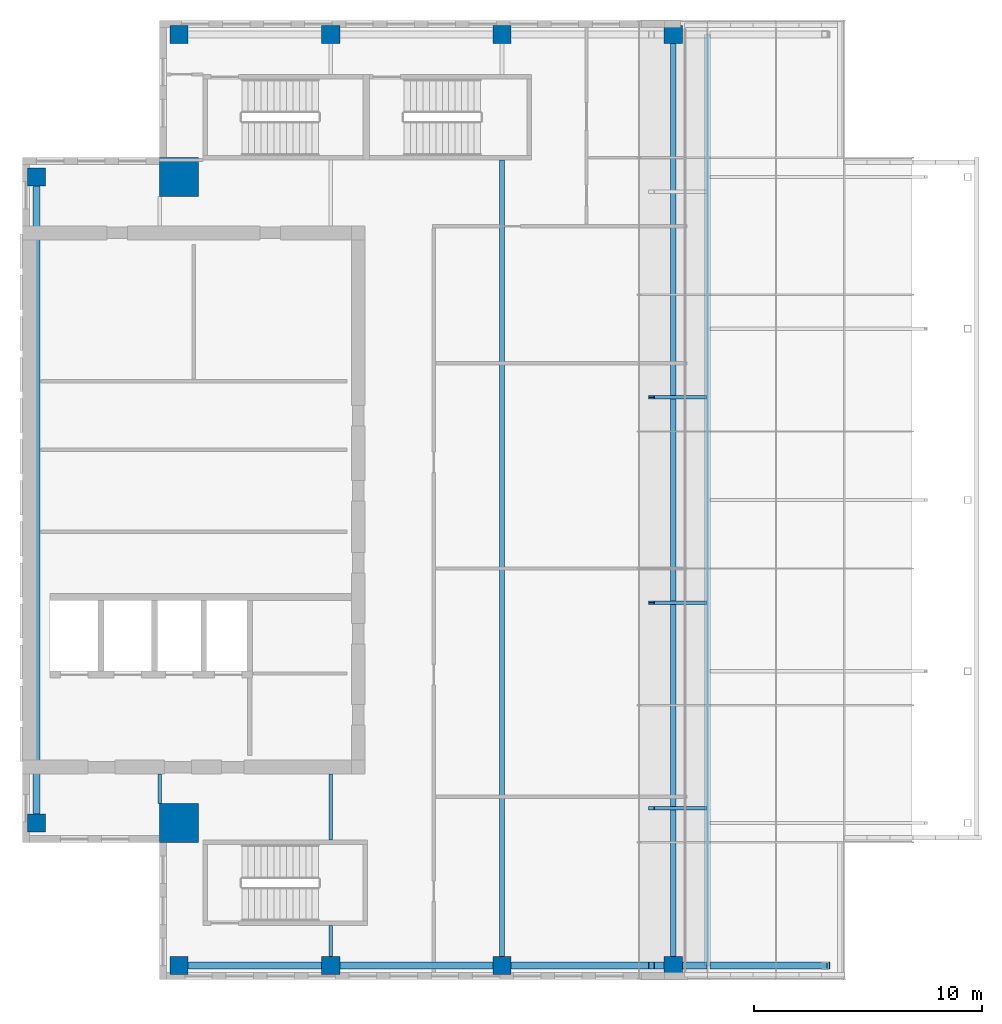
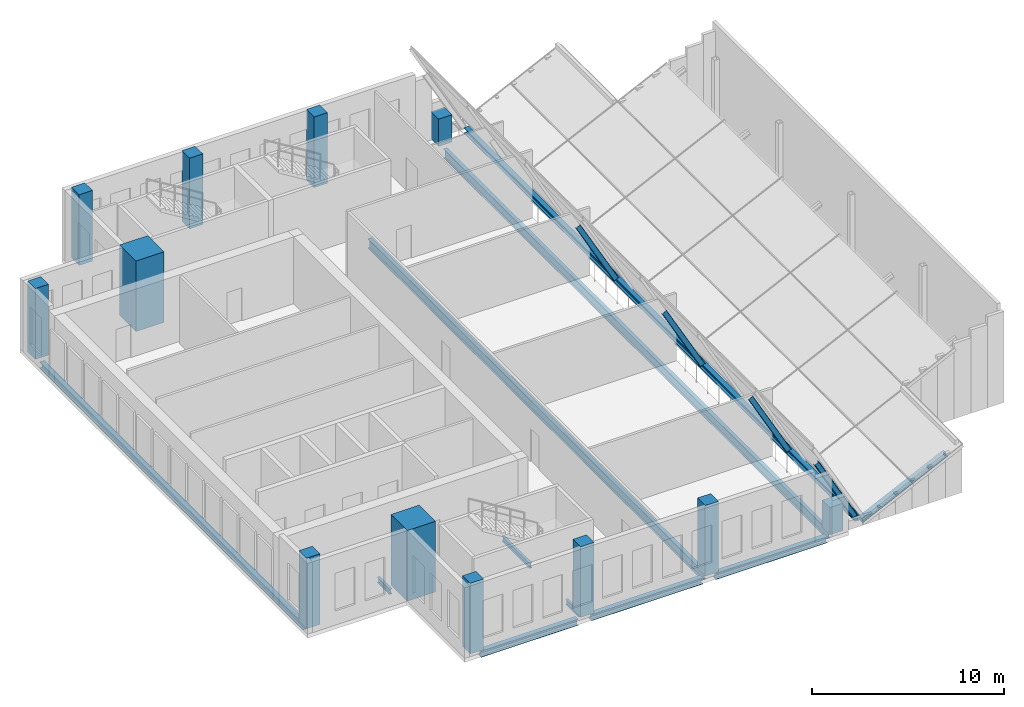
# One storey, part 1 of 11: 12 columns, 10 beams, 5 members.
"""IFC4 building model written with IfcOpenShell, lengths in metres."""

import ifcopenshell
import ifcopenshell.guid

model = None  # the IFC model being written
_history = None  # IfcOwnerHistory: only IFC2X3 demands one
_inside = {}  # id of a spatial element -> (the spatial element, [elements in it])
_under = {}  # id of a project, library or spatial element -> (it, [spatial elements below it])
_declared = {}  # id of a project -> (the project, [libraries it declares])
_typed = {}  # id of a type object -> (the type object, [elements of that type])
_made_of = {}  # id of a material, layer set ... -> (it, [elements and type objects made of it])


def new_model(schema):
    """Start an empty IFC model of exactly this schema.

    Asked for "IFC4X3", IfcOpenShell would pick the latest addendum, in which some entities
    have other attributes; the version numbers below select the first issue.
    IFC2X3 requires an IfcOwnerHistory on every rooted entity: one is made here for all.
    """
    global model, _history
    if schema == "IFC4X3":
        model = ifcopenshell.file(schema_version=(4, 3, 0, 0))
    else:
        model = ifcopenshell.file(schema=schema)
    _inside.clear()
    _under.clear()
    _declared.clear()
    _typed.clear()
    _made_of.clear()
    _history = None
    if model.schema == "IFC2X3":
        org = make("IfcOrganization", Name="unknown")
        user = make(
            "IfcPersonAndOrganization",
            ThePerson=make("IfcPerson", FamilyName="unknown"),
            TheOrganization=org,
        )
        app = make(
            "IfcApplication",
            ApplicationDeveloper=org,
            Version="unknown",
            ApplicationFullName="unknown",
            ApplicationIdentifier="unknown",
        )
        _history = make(
            "IfcOwnerHistory",
            OwningUser=user,
            OwningApplication=app,
            ChangeAction="ADDED",
            CreationDate=0,
        )
    return model


def make(cls, **values):
    """One entity of the class cls with the attributes given. An attribute that is None is left unset."""
    return model.create_entity(
        cls, **{name: value for name, value in values.items() if value is not None}
    )


def rooted(cls, **values):
    """An entity with a GlobalId (a new one), such as an element, a storey or a relation."""
    return make(cls, GlobalId=ifcopenshell.guid.new(), OwnerHistory=_history, **values)


def si_unit(unit_type, name, prefix=None):
    """IfcSIUnit, for example si_unit("LENGTHUNIT", "METRE", prefix="MILLI")."""
    return make("IfcSIUnit", UnitType=unit_type, Prefix=prefix, Name=name)


def assignment(units):
    """IfcUnitAssignment: the units of a project."""
    return None if units is None else make("IfcUnitAssignment", Units=units)


def point(xyz):
    """IfcCartesianPoint."""
    return None if xyz is None else make("IfcCartesianPoint", Coordinates=xyz)


def direction(xyz):
    """IfcDirection."""
    return None if xyz is None else make("IfcDirection", DirectionRatios=xyz)


def frame(location, z_axis=None, x_axis=None):
    """IfcAxis2Placement3D, a coordinate frame: its origin and axes. An axis left out is left unset."""
    return make(
        "IfcAxis2Placement3D",
        Location=point(location),
        Axis=direction(z_axis),
        RefDirection=direction(x_axis),
    )


def frame_2d(location, x_axis=None):
    """IfcAxis2Placement2D, a coordinate frame in the plane: its origin and x axis."""
    return make(
        "IfcAxis2Placement2D", Location=point(location), RefDirection=direction(x_axis)
    )


def origin():
    """The frame at (0, 0, 0) with its axes left unset."""
    return frame((0.0, 0.0, 0.0))


def origin_2d():
    """The frame at (0, 0) in the plane with its x axis left unset."""
    return frame_2d((0.0, 0.0))


def place(relative_to, where):
    """IfcLocalPlacement: puts the frame where relative to a parent placement (None: the world)."""
    return make(
        "IfcLocalPlacement", PlacementRelTo=relative_to, RelativePlacement=where
    )


def context(
    kind, dimensions, precision=None, world=None, true_north=None, identifier=None
):
    """IfcGeometricRepresentationContext, for example the 3D "Model" context."""
    return make(
        "IfcGeometricRepresentationContext",
        ContextIdentifier=identifier,
        ContextType=kind,
        CoordinateSpaceDimension=dimensions,
        Precision=precision,
        WorldCoordinateSystem=world,
        TrueNorth=true_north,
    )


def subcontext(parent, identifier, kind, view, scale=None):
    """IfcGeometricRepresentationSubContext, for example "Body" below "Model"."""
    return make(
        "IfcGeometricRepresentationSubContext",
        ContextIdentifier=identifier,
        ContextType=kind,
        ParentContext=parent,
        TargetScale=scale,
        TargetView=view,
    )


def project(units=None, contexts=None):
    """IfcProject with its units and contexts."""
    return rooted(
        "IfcProject",
        Name="project",
        RepresentationContexts=contexts,
        UnitsInContext=assignment(units),
    )


def spatial(cls, under=None, at=None, **own):
    """A site, building, storey or space (cls), placed at a placement, below another one or the project."""
    s = rooted(cls, ObjectPlacement=at, **own)
    if under is not None:
        _under.setdefault(under.id(), (under, []))[1].append(s)
    return s


def profile(cls, at=None, kind="AREA", **sizes):
    """A parametric profile (cls). Its sizes go by their IFC names, for example OverallWidth=200.0."""
    return make(cls, ProfileType=kind, Position=at, **sizes)


def rectangle(**sizes):
    """IfcRectangleProfileDef."""
    return profile("IfcRectangleProfileDef", **sizes)


def i_section(**sizes):
    """IfcIShapeProfileDef."""
    return profile("IfcIShapeProfileDef", **sizes)


def extrude(swept, where, along, depth):
    """IfcExtrudedAreaSolid: the profile swept, set in the frame where, extruded along a direction by depth."""
    return make(
        "IfcExtrudedAreaSolid",
        SweptArea=swept,
        Position=where,
        ExtrudedDirection=direction(along),
        Depth=depth,
    )


def shape(context_of_items, identifier, shape_type, items):
    """IfcShapeRepresentation: the items that make up one representation, for example the "Body"."""
    return make(
        "IfcShapeRepresentation",
        ContextOfItems=context_of_items,
        RepresentationIdentifier=identifier,
        RepresentationType=shape_type,
        Items=items,
    )


def source(mapping_origin, context_of_items, identifier, shape_type, items):
    """IfcRepresentationMap: a shape defined once, which mapped items show again and again."""
    return make(
        "IfcRepresentationMap",
        MappingOrigin=mapping_origin,
        MappedRepresentation=shape(context_of_items, identifier, shape_type, items),
    )


def transform(
    local_origin,
    x_axis=None,
    y_axis=None,
    z_axis=None,
    scale=None,
    scale2=None,
    scale3=None,
    uniform=True,
):
    """IfcCartesianTransformationOperator3D, or its non-uniform kind. x_axis, y_axis, z_axis: its Axis1, 2, 3."""
    if uniform:
        return make(
            "IfcCartesianTransformationOperator3D",
            Axis1=direction(x_axis),
            Axis2=direction(y_axis),
            LocalOrigin=point(local_origin),
            Scale=scale,
            Axis3=direction(z_axis),
        )
    return make(
        "IfcCartesianTransformationOperator3DnonUniform",
        Axis1=direction(x_axis),
        Axis2=direction(y_axis),
        LocalOrigin=point(local_origin),
        Scale=scale,
        Axis3=direction(z_axis),
        Scale2=scale2,
        Scale3=scale3,
    )


def mapped(mapping_source, mapping_target):
    """IfcMappedItem: shows the shape of a source again, moved by a transform."""
    return make(
        "IfcMappedItem", MappingSource=mapping_source, MappingTarget=mapping_target
    )


def material(Name=None, Category=None):
    """IfcMaterial."""
    return make("IfcMaterial", Name=Name, Category=Category)


def material_profile(
    of_material, cross_section, Name=None, Category=None, Priority=None
):
    """IfcMaterialProfile: a cross section and its material."""
    return make(
        "IfcMaterialProfile",
        Name=Name,
        Material=of_material,
        Profile=cross_section,
        Priority=Priority,
        Category=Category,
    )


def profile_set(profiles, Name=None, composite=None):
    """IfcMaterialProfileSet."""
    return make(
        "IfcMaterialProfileSet",
        Name=Name,
        MaterialProfiles=profiles,
        CompositeProfile=composite,
    )


def made_of(thing, what):
    """Note that an element or type object is made of a material, layer set ...; save() writes the relation."""
    if what is not None:
        _made_of.setdefault(what.id(), (what, []))[1].append(thing)
    return thing


def type_object(cls, material=None, **own):
    """A type object (cls), such as IfcWallType, which elements share."""
    return made_of(rooted(cls, **own), material)


def element(
    cls,
    number,
    at=None,
    inside=None,
    cuts=None,
    type_object=None,
    material=None,
    context=None,
    identifier="Body",
    shape_type=None,
    held_by="IfcProductDefinitionShape",
    body=None,
    shapes=None,
    **own,
):
    """One element of the class cls, such as IfcWall. Its Tag is "e" and its number.

    at: its placement. inside: the storey or other place that contains it. cuts: it is an
    opening in that element (IfcRelVoidsElement). A single representation is given by context,
    identifier, shape_type and body (its items); several are given by shapes. held_by: the class
    of the entity that holds the representations. save() writes the other relations.
    """
    e = rooted(cls, Tag="e%d" % number, ObjectPlacement=at, **own)
    if body is not None:
        shapes = [shape(context, identifier, shape_type, body)]
    if shapes is not None:
        e.Representation = make(held_by, Representations=shapes)
    if inside is not None:
        _inside.setdefault(inside.id(), (inside, []))[1].append(e)
    if cuts is not None:
        rooted(
            "IfcRelVoidsElement", RelatingBuildingElement=cuts, RelatedOpeningElement=e
        )
    if type_object is not None:
        _typed.setdefault(type_object.id(), (type_object, []))[1].append(e)
    return made_of(e, material)


def aggregate(whole, parts):
    """IfcRelAggregates: a whole, such as a stair, and the parts it consists of."""
    return rooted("IfcRelAggregates", RelatingObject=whole, RelatedObjects=parts)


def save(model, path):
    """Write the relations noted so far, then the file.

    IfcRelAggregates (storeys below a building ...), IfcRelContainedInSpatialStructure (elements
    in a storey), IfcRelDefinesByType, IfcRelAssociatesMaterial and IfcRelDeclares: one each for
    every whole, place, type object, material and project.
    """
    for whole, parts in _under.values():
        aggregate(whole, parts)
    for where, things in _inside.values():
        rooted(
            "IfcRelContainedInSpatialStructure",
            RelatedElements=things,
            RelatingStructure=where,
        )
    for kind, things in _typed.values():
        rooted("IfcRelDefinesByType", RelatedObjects=things, RelatingType=kind)
    for what, things in _made_of.values():
        rooted("IfcRelAssociatesMaterial", RelatedObjects=things, RelatingMaterial=what)
    for by, libraries in _declared.values():
        rooted("IfcRelDeclares", RelatingContext=by, RelatedDefinitions=libraries)
    model.write(path)


model = new_model("IFC4")

# Units and contexts
model_context = context("Model", 3, precision=1e-05, world=origin(), true_north=direction((0.0, 1.0)))
body_context = subcontext(model_context, "Body", "Model", "MODEL_VIEW")
ifc_project = project(units=[si_unit("LENGTHUNIT", "METRE"), si_unit("AREAUNIT", "SQUARE_METRE"), si_unit("VOLUMEUNIT", "CUBIC_METRE"), si_unit("PLANEANGLEUNIT", "RADIAN"), si_unit("MASSUNIT", "GRAM", prefix="KILO")], contexts=[model_context])

# Site, building, storey
site_placement = place(None, origin())
site = spatial("IfcSite", under=ifc_project, at=site_placement, CompositionType="ELEMENT")
building_placement = place(site_placement, origin())
building = spatial("IfcBuilding", under=site, at=building_placement, Name="Khomas Fold Tower", CompositionType="ELEMENT")
storey_placement = place(building_placement, frame((0.0, 0.0, 334.699951171875)))
storey = spatial("IfcBuildingStorey", under=building, at=storey_placement, Name="C2", CompositionType="ELEMENT", Elevation=334.699951171875)

# Columns
ifc_material_1 = material(Name="Concrete C60/75", Category="concrete")
ifc_material_profile_1 = material_profile(ifc_material_1, rectangle(XDim=1.699951171875, YDim=1.699951171875, at=origin_2d()), Name="RC 1700x1700")
ifc_profile_set_1 = profile_set([ifc_material_profile_1], Name="Concrete C60/75")
column_type_1 = type_object("IfcColumnType", Name="RC 1700x1700 column", PredefinedType="COLUMN", material=ifc_profile_set_1)
shared_shape_1 = source(origin(), body_context, "Body", "SweptSolid", [
    extrude(rectangle(XDim=1.699951171875, YDim=1.699951171875, at=origin_2d()), origin(), (0.0, 0.0, 1.0), 4.5),
])
for number, where, z_axis, x_axis, name in (
    (1, (12.85009765625, 41.14990234375, 0.0), (0.0, 0.0, 1.0), (1.0, 0.0, 0.0), "CM-NW"),
    (2, (12.85009765625, 12.85009765625, 0.0), (0.0, 0.0, 1.0), (1.0, 0.0, 0.0), "CM-SW"),
):
    element("IfcColumn", number, at=place(storey_placement, frame(where, z_axis=z_axis, x_axis=x_axis)), inside=storey, type_object=column_type_1, Name=name, PredefinedType="COLUMN", context=body_context, shape_type="MappedRepresentation", body=[
        mapped(shared_shape_1, transform((0.0, 0.0, 0.0))),
    ])
ifc_material_2 = material(Name="Concrete C50/60", Category="concrete")
ifc_material_profile_2 = material_profile(ifc_material_2, rectangle(XDim=0.800048828125, YDim=0.800048828125, at=origin_2d()), Name="RC 800x800")
ifc_profile_set_2 = profile_set([ifc_material_profile_2], Name="Concrete C50/60")
column_type_2 = type_object("IfcColumnType", Name="RC 800x800 column", PredefinedType="COLUMN", material=ifc_profile_set_2)
shared_shape_2 = source(origin(), body_context, "Body", "SweptSolid", [
    extrude(rectangle(XDim=0.800048828125, YDim=0.800048828125, at=origin_2d()), origin(), (0.0, 0.0, 1.0), 4.5),
])
for number, where, z_axis, x_axis, name in (
    (3, (12.85009765625, 6.60009765625, 0.0), (0.0, 0.0, 1.0), (1.0, 0.0, 0.0), "C-7-SF5"),
    (4, (19.5, 6.60009765625, 0.0), (0.0, 0.0, 1.0), (1.0, 0.0, 0.0), "C-8-SF5"),
    (5, (27.0, 6.60009765625, 0.0), (0.0, 0.0, 1.0), (1.0, 0.0, 0.0), "C-9-SF5"),
    (6, (12.85009765625, 47.39990234375, 0.0), (0.0, 0.0, 1.0), (1.0, 0.0, 0.0), "C-7-NF5"),
    (7, (19.5, 47.39990234375, 0.0), (0.0, 0.0, 1.0), (1.0, 0.0, 0.0), "C-8-NF5"),
    (8, (27.0, 47.39990234375, 0.0), (0.0, 0.0, 1.0), (1.0, 0.0, 0.0), "C-9-NF5"),
    (9, (6.60009765625, 12.85009765625, 0.0), (0.0, 0.0, 1.0), (1.0, 0.0, 0.0), "C-W5-G"),
    (10, (6.60009765625, 41.14990234375, 0.0), (0.0, 0.0, 1.0), (1.0, 0.0, 0.0), "C-W5-Q"),
):
    element("IfcColumn", number, at=place(storey_placement, frame(where, z_axis=z_axis, x_axis=x_axis)), inside=storey, type_object=column_type_2, Name=name, PredefinedType="COLUMN", context=body_context, shape_type="MappedRepresentation", body=[
        mapped(shared_shape_2, transform((0.0, 0.0, 0.0))),
    ])
shared_shape_3 = source(origin(), body_context, "Body", "SweptSolid", [
    extrude(rectangle(XDim=0.800048828125, YDim=0.800048828125, at=origin_2d()), origin(), (0.0, 0.0, 1.0), 1.7392578125),
])
for number, where, z_axis, x_axis, name in (
    (11, (34.5, 6.60009765625, 0.0), (0.0, 0.0, 1.0), (1.0, 0.0, 0.0), "C-10-SF5"),
    (12, (34.5, 47.39990234375, 0.0), (0.0, 0.0, 1.0), (1.0, 0.0, 0.0), "C-10-NF5"),
):
    element("IfcColumn", number, at=place(storey_placement, frame(where, z_axis=z_axis, x_axis=x_axis)), inside=storey, type_object=column_type_2, Name=name, PredefinedType="COLUMN", context=body_context, shape_type="MappedRepresentation", body=[
        mapped(shared_shape_3, transform((0.0, 0.0, 0.0))),
    ])

# Beams
ifc_material_3 = material(Name="Steel S355", Category="steel")
ifc_material_profile_3 = material_profile(ifc_material_3, i_section(OverallWidth=0.159912109375, OverallDepth=0.330078125, WebThickness=0.007568359375, FlangeThickness=0.011474609375, at=origin_2d()), Name="IPE 330")
ifc_profile_set_3 = profile_set([ifc_material_profile_3], Name="Steel S355")
beam_type_1 = type_object("IfcBeamType", Name="IPE 330 beam JB1", PredefinedType="BEAM", material=ifc_profile_set_3)
shared_shape_4 = source(origin(), body_context, "Body", "SweptSolid", [
    extrude(i_section(OverallWidth=0.159912109375, OverallDepth=0.330078125, WebThickness=0.007568359375, FlangeThickness=0.011474609375, at=origin_2d()), origin(), (0.0, 0.0, 1.0), 2.89990234375),
])
beam_1_placement = place(storey_placement, frame((19.5, 12.10009765625, -0.4150390625), z_axis=(0.0, 1.0, 0.0), x_axis=(-1.0, 0.0, 0.0)))
element("IfcBeam", 13, at=beam_1_placement, inside=storey, type_object=beam_type_1, Name="JB1", PredefinedType="BEAM", context=body_context, shape_type="MappedRepresentation", body=[
    mapped(shared_shape_4, transform((0.0, 0.0, 0.0))),
])
shared_shape_5 = source(origin(), body_context, "Body", "SweptSolid", [
    extrude(i_section(OverallWidth=0.159912109375, OverallDepth=0.330078125, WebThickness=0.007568359375, FlangeThickness=0.011474609375, at=origin_2d()), origin(), (0.0, 0.0, 1.0), 1.35009765625),
])
beam_2_placement = place(storey_placement, frame((19.5, 7.0, -0.4150390625), z_axis=(0.0, 1.0, 0.0), x_axis=(-1.0, 0.0, 0.0)))
element("IfcBeam", 14, at=beam_2_placement, inside=storey, type_object=beam_type_1, Name="JB1", PredefinedType="BEAM", context=body_context, shape_type="MappedRepresentation", body=[
    mapped(shared_shape_5, transform((0.0, 0.0, 0.0))),
])
ifc_material_4 = material(Name="Steel S355", Category="steel")
ifc_material_profile_4 = material_profile(ifc_material_4, i_section(OverallWidth=0.300048828125, OverallDepth=0.39990234375, WebThickness=0.013427734375, FlangeThickness=0.02392578125, at=origin_2d()), Name="HE 400 B")
ifc_profile_set_4 = profile_set([ifc_material_profile_4], Name="Steel S355")
beam_type_2 = type_object("IfcBeamType", Name="HE 400 B spandrel SB5", PredefinedType="SPANDREL", material=ifc_profile_set_4)
shared_shape_6 = source(origin(), body_context, "Body", "SweptSolid", [
    extrude(i_section(OverallWidth=0.300048828125, OverallDepth=0.39990234375, WebThickness=0.013427734375, FlangeThickness=0.02392578125, at=origin_2d()), origin(), (0.0, 0.0, 1.0), 5.85009765625),
])
beam_3_placement = place(storey_placement, frame((13.25, 6.60009765625, -0.449951171875), z_axis=(1.0, 0.0, 0.0), x_axis=(0.0, 1.0, 0.0)))
element("IfcBeam", 15, at=beam_3_placement, inside=storey, type_object=beam_type_2, Name="SB5", PredefinedType="SPANDREL", context=body_context, shape_type="MappedRepresentation", body=[
    mapped(shared_shape_6, transform((0.0, 0.0, 0.0))),
])
shared_shape_7 = source(origin(), body_context, "Body", "SweptSolid", [
    extrude(i_section(OverallWidth=0.300048828125, OverallDepth=0.39990234375, WebThickness=0.013427734375, FlangeThickness=0.02392578125, at=origin_2d()), origin(), (0.0, 0.0, 1.0), 6.7001953125),
])
for number, where, z_axis, x_axis, name in (
    (16, (19.89990234375, 6.60009765625, -0.449951171875), (1.0, 0.0, 0.0), (0.0, 1.0, 0.0), "SB5"),
    (17, (27.39990234375, 6.60009765625, -0.449951171875), (1.0, 0.0, 0.0), (0.0, 1.0, 0.0), "SB5"),
):
    element("IfcBeam", number, at=place(storey_placement, frame(where, z_axis=z_axis, x_axis=x_axis)), inside=storey, type_object=beam_type_2, Name=name, PredefinedType="SPANDREL", context=body_context, shape_type="MappedRepresentation", body=[
        mapped(shared_shape_7, transform((0.0, 0.0, 0.0))),
    ])
shared_shape_8 = source(origin(), body_context, "Body", "SweptSolid", [
    extrude(i_section(OverallWidth=0.300048828125, OverallDepth=0.39990234375, WebThickness=0.013427734375, FlangeThickness=0.02392578125, at=origin_2d()), origin(), (0.0, 0.0, 1.0), 27.5),
])
beam_4_placement = place(storey_placement, frame((6.60009765625, 13.25, -0.449951171875), z_axis=(0.0, 1.0, 0.0), x_axis=(-1.0, 0.0, 0.0)))
element("IfcBeam", 18, at=beam_4_placement, inside=storey, type_object=beam_type_2, Name="SB5", PredefinedType="SPANDREL", context=body_context, shape_type="MappedRepresentation", body=[
    mapped(shared_shape_8, transform((0.0, 0.0, 0.0))),
])
shared_shape_9 = source(origin(), body_context, "Body", "SweptSolid", [
    extrude(i_section(OverallWidth=0.159912109375, OverallDepth=0.330078125, WebThickness=0.007568359375, FlangeThickness=0.011474609375, at=origin_2d()), origin(), (0.0, 0.0, 1.0), 1.300048828125),
])
beam_5_placement = place(storey_placement, frame((12.0, 13.699951171875, -0.4150390625), z_axis=(0.0, 1.0, 0.0), x_axis=(-1.0, 0.0, 0.0)))
element("IfcBeam", 19, at=beam_5_placement, inside=storey, type_object=beam_type_1, Name="JB1", PredefinedType="BEAM", context=body_context, shape_type="MappedRepresentation", body=[
    mapped(shared_shape_9, transform((0.0, 0.0, 0.0))),
])
ifc_material_5 = material(Name="Steel S355", Category="steel")
ifc_material_profile_5 = material_profile(ifc_material_5, i_section(OverallWidth=0.219970703125, OverallDepth=0.60009765625, WebThickness=0.011962890625, FlangeThickness=0.01904296875, at=origin_2d()), Name="IPE 600")
ifc_profile_set_5 = profile_set([ifc_material_profile_5], Name="Steel S355")
beam_type_3 = type_object("IfcBeamType", Name="IPE 600 beam JB7", PredefinedType="BEAM", material=ifc_profile_set_5)
shared_shape_10 = source(origin(), body_context, "Body", "SweptSolid", [
    extrude(i_section(OverallWidth=0.219970703125, OverallDepth=0.60009765625, WebThickness=0.011962890625, FlangeThickness=0.01904296875, at=origin_2d()), origin(), (0.0, 0.0, 1.0), 34.89990234375),
])
beam_6_placement = place(storey_placement, frame((27.0, 7.0, -0.550048828125), z_axis=(0.0, 1.0, 0.0), x_axis=(-1.0, 0.0, 0.0)))
element("IfcBeam", 20, at=beam_6_placement, inside=storey, type_object=beam_type_3, Name="JB7", PredefinedType="BEAM", context=body_context, shape_type="MappedRepresentation", body=[
    mapped(shared_shape_10, transform((0.0, 0.0, 0.0))),
])
shared_shape_11 = source(origin(), body_context, "Body", "SweptSolid", [
    extrude(i_section(OverallWidth=0.219970703125, OverallDepth=0.60009765625, WebThickness=0.011962890625, FlangeThickness=0.01904296875, at=origin_2d()), origin(), (0.0, 0.0, 1.0), 40.0),
])
beam_7_placement = place(storey_placement, frame((34.5, 7.0, -0.550048828125), z_axis=(0.0, 1.0, 0.0), x_axis=(-1.0, 0.0, 0.0)))
element("IfcBeam", 21, at=beam_7_placement, inside=storey, type_object=beam_type_3, Name="JB7", PredefinedType="BEAM", context=body_context, shape_type="MappedRepresentation", body=[
    mapped(shared_shape_11, transform((0.0, 0.0, 0.0))),
])

# Members
ifc_material_6 = material(Name="Steel S355", Category="steel")
ifc_material_profile_6 = material_profile(ifc_material_6, i_section(OverallWidth=0.300048828125, OverallDepth=0.300048828125, WebThickness=0.010986328125, FlangeThickness=0.01904296875, at=origin_2d()), Name="HE 300 B")
ifc_profile_set_6 = profile_set([ifc_material_profile_6], Name="Steel S355")
member_type_1 = type_object("IfcMemberType", Name="ROOF RAFTER W C2 HE 300 B", PredefinedType="RAFTER", material=ifc_profile_set_6)
shared_shape_12 = source(origin(), body_context, "Body", "SweptSolid", [
    extrude(i_section(OverallWidth=0.300048828125, OverallDepth=0.300048828125, WebThickness=0.010986328125, FlangeThickness=0.01904296875, at=origin_2d()), origin(), (0.0, 0.0, 1.0), 4.763671875),
])
member_1_placement = place(storey_placement, frame((35.85009765625, 6.60009765625, 0.331298828125), z_axis=(-0.483953676577, 0.0, 0.875093617236), x_axis=(0.0, -1.0, 0.0)))
element("IfcMember", 22, at=member_1_placement, inside=storey, type_object=member_type_1, Name="CF-R1-W-C2", PredefinedType="RAFTER", context=body_context, shape_type="MappedRepresentation", body=[
    mapped(shared_shape_12, transform((0.0, 0.0, 0.0))),
])
ifc_material_7 = material(Name="Steel S355", Category="steel")
ifc_material_profile_7 = material_profile(ifc_material_7, i_section(OverallWidth=0.14990234375, OverallDepth=0.300048828125, WebThickness=0.007080078125, FlangeThickness=0.0107421875, at=origin_2d()), Name="IPE 300")
ifc_profile_set_7 = profile_set([ifc_material_profile_7], Name="Steel S355")
member_type_2 = type_object("IfcMemberType", Name="ROOF RAFTER W C2 IPE 300", PredefinedType="RAFTER", material=ifc_profile_set_7)
shared_shape_13 = source(origin(), body_context, "Body", "SweptSolid", [
    extrude(i_section(OverallWidth=0.14990234375, OverallDepth=0.300048828125, WebThickness=0.007080078125, FlangeThickness=0.0107421875, at=origin_2d()), origin(), (0.0, 0.0, 1.0), 4.763671875),
])
for number, where, z_axis, x_axis, name in (
    (23, (35.85009765625, 13.5, 0.331298828125), (-0.483953676577, 0.0, 0.875093617236), (0.0, -1.0, 0.0), "CF-R2-W-C2"),
    (24, (35.85009765625, 22.5, 0.331298828125), (-0.483953676577, 0.0, 0.875093617236), (0.0, -1.0, 0.0), "CF-R2-W-C2"),
    (25, (35.85009765625, 31.5, 0.331298828125), (-0.483953676577, 0.0, 0.875093617236), (0.0, -1.0, 0.0), "CF-R2-W-C2"),
):
    element("IfcMember", number, at=place(storey_placement, frame(where, z_axis=z_axis, x_axis=x_axis)), inside=storey, type_object=member_type_2, Name=name, PredefinedType="RAFTER", context=body_context, shape_type="MappedRepresentation", body=[
        mapped(shared_shape_13, transform((0.0, 0.0, 0.0))),
    ])
ifc_material_8 = material(Name="Steel S355", Category="steel")
ifc_material_profile_8 = material_profile(ifc_material_8, i_section(OverallWidth=0.300048828125, OverallDepth=0.300048828125, WebThickness=0.010986328125, FlangeThickness=0.01904296875, at=origin_2d()), Name="HE 300 B")
ifc_profile_set_8 = profile_set([ifc_material_profile_8], Name="Steel S355")
member_type_3 = type_object("IfcMemberType", Name="ROOF RAFTER E C2 HE 300 B", PredefinedType="RAFTER", material=ifc_profile_set_8)
shared_shape_14 = source(origin(), body_context, "Body", "SweptSolid", [
    extrude(i_section(OverallWidth=0.300048828125, OverallDepth=0.300048828125, WebThickness=0.010986328125, FlangeThickness=0.01904296875, at=origin_2d()), origin(), (0.0, 0.0, 1.0), 5.68359375),
])
member_2_placement = place(storey_placement, frame((36.174560546875, 6.60009765625, 0.0), z_axis=(0.901809751321, 0.0, 0.432133280856), x_axis=(0.0, 1.0, 0.0)))
element("IfcMember", 26, at=member_2_placement, inside=storey, type_object=member_type_3, Name="CF-R1-E-C2", PredefinedType="RAFTER", context=body_context, shape_type="MappedRepresentation", body=[
    mapped(shared_shape_14, transform((0.0, 0.0, 0.0))),
])

# Beam
ifc_material_9 = material(Name="Steel S355", Category="steel")
ifc_material_profile_9 = material_profile(ifc_material_9, i_section(OverallWidth=0.300048828125, OverallDepth=0.340087890625, WebThickness=0.011962890625, FlangeThickness=0.021484375, at=origin_2d()), Name="HE 340 B")
ifc_profile_set_9 = profile_set([ifc_material_profile_9], Name="Steel S355")
beam_type_4 = type_object("IfcBeamType", Name="VALLEY BEAM C2 HE 340 B", PredefinedType="BEAM", material=ifc_profile_set_9)
shared_shape_15 = source(origin(), body_context, "Body", "SweptSolid", [
    extrude(i_section(OverallWidth=0.300048828125, OverallDepth=0.340087890625, WebThickness=0.011962890625, FlangeThickness=0.021484375, at=origin_2d()), origin(), (0.0, 0.0, 1.0), 40.7998046875),
])
beam_8_placement = place(storey_placement, frame((36.0, 6.60009765625, 0.170166015625), z_axis=(0.0, 1.0, 0.0), x_axis=(-1.0, 0.0, 0.0)))
element("IfcBeam", 27, at=beam_8_placement, inside=storey, type_object=beam_type_4, Name="CF-V-C2", PredefinedType="BEAM", context=body_context, shape_type="MappedRepresentation", body=[
    mapped(shared_shape_15, transform((0.0, 0.0, 0.0))),
])

save(model, "model.ifc")
